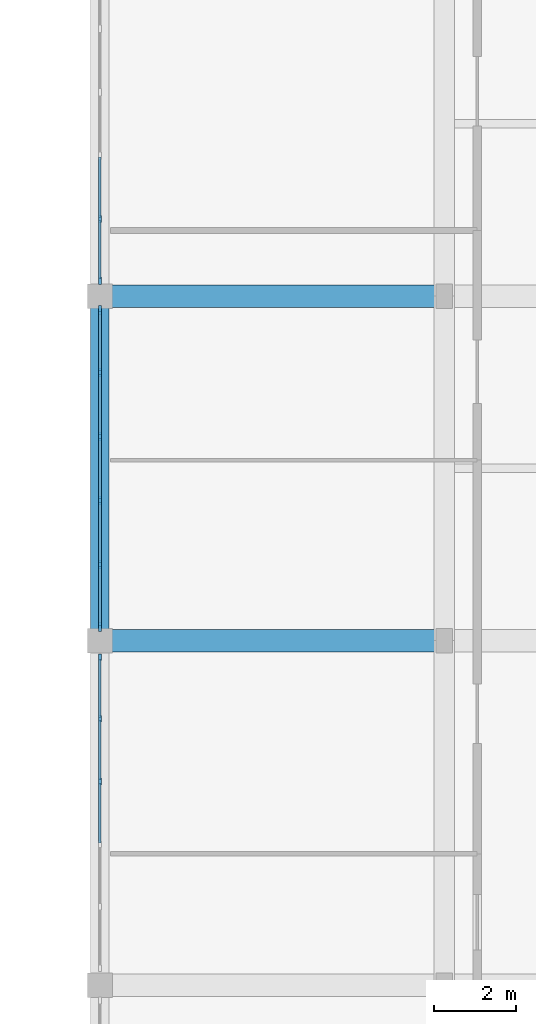
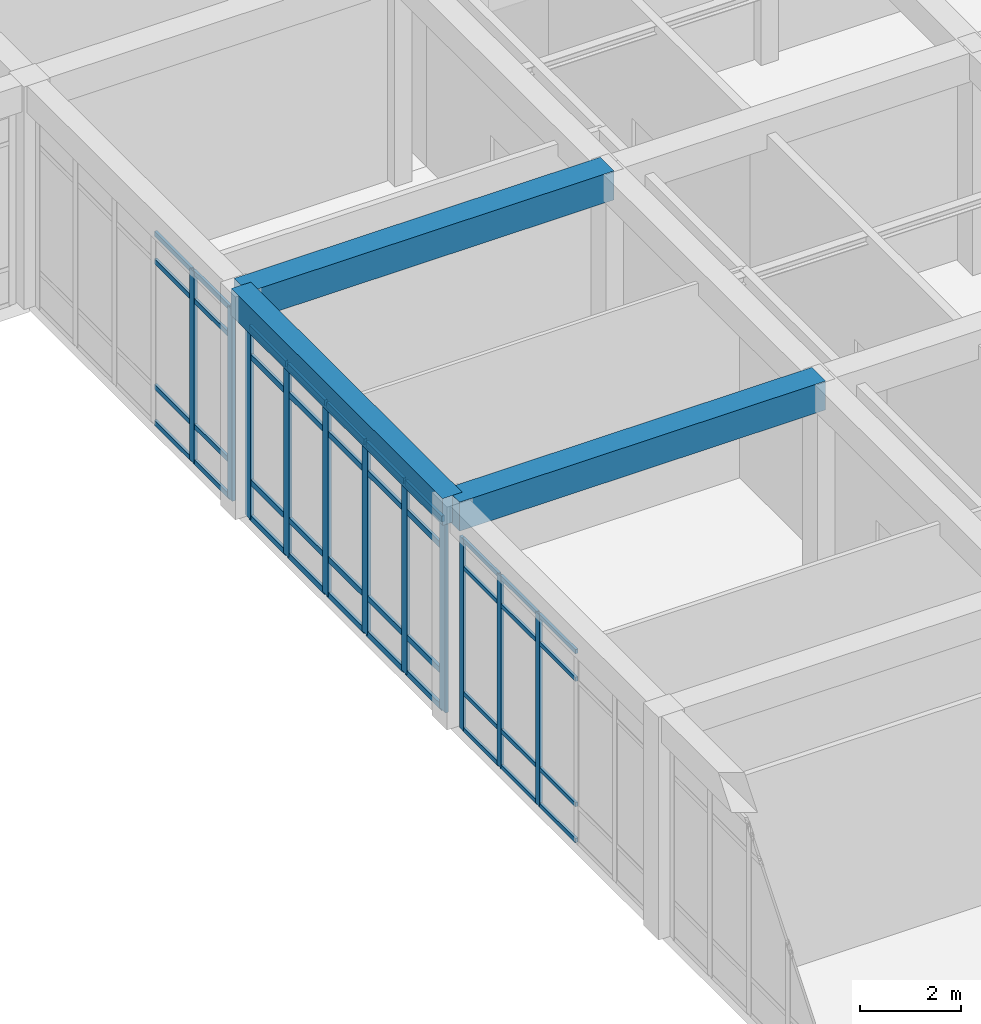
# One storey, part 50 of 157: 51 members, 3 beams, 3 elements without a shape of their own.
"""IFC4 building model written with IfcOpenShell, lengths in metres."""

import ifcopenshell
import ifcopenshell.guid

model = None  # the IFC model being written
_history = None  # IfcOwnerHistory: only IFC2X3 demands one
_inside = {}  # id of a spatial element -> (the spatial element, [elements in it])
_under = {}  # id of a project, library or spatial element -> (it, [spatial elements below it])
_declared = {}  # id of a project -> (the project, [libraries it declares])
_typed = {}  # id of a type object -> (the type object, [elements of that type])
_made_of = {}  # id of a material, layer set ... -> (it, [elements and type objects made of it])


def new_model(schema):
    """Start an empty IFC model of exactly this schema.

    Asked for "IFC4X3", IfcOpenShell would pick the latest addendum, in which some entities
    have other attributes; the version numbers below select the first issue.
    IFC2X3 requires an IfcOwnerHistory on every rooted entity: one is made here for all.
    """
    global model, _history
    if schema == "IFC4X3":
        model = ifcopenshell.file(schema_version=(4, 3, 0, 0))
    else:
        model = ifcopenshell.file(schema=schema)
    _inside.clear()
    _under.clear()
    _declared.clear()
    _typed.clear()
    _made_of.clear()
    _history = None
    if model.schema == "IFC2X3":
        org = make("IfcOrganization", Name="unknown")
        user = make(
            "IfcPersonAndOrganization",
            ThePerson=make("IfcPerson", FamilyName="unknown"),
            TheOrganization=org,
        )
        app = make(
            "IfcApplication",
            ApplicationDeveloper=org,
            Version="unknown",
            ApplicationFullName="unknown",
            ApplicationIdentifier="unknown",
        )
        _history = make(
            "IfcOwnerHistory",
            OwningUser=user,
            OwningApplication=app,
            ChangeAction="ADDED",
            CreationDate=0,
        )
    return model


def make(cls, **values):
    """One entity of the class cls with the attributes given. An attribute that is None is left unset."""
    return model.create_entity(
        cls, **{name: value for name, value in values.items() if value is not None}
    )


def rooted(cls, **values):
    """An entity with a GlobalId (a new one), such as an element, a storey or a relation."""
    return make(cls, GlobalId=ifcopenshell.guid.new(), OwnerHistory=_history, **values)


def si_unit(unit_type, name, prefix=None):
    """IfcSIUnit, for example si_unit("LENGTHUNIT", "METRE", prefix="MILLI")."""
    return make("IfcSIUnit", UnitType=unit_type, Prefix=prefix, Name=name)


def assignment(units):
    """IfcUnitAssignment: the units of a project."""
    return None if units is None else make("IfcUnitAssignment", Units=units)


def point(xyz):
    """IfcCartesianPoint."""
    return None if xyz is None else make("IfcCartesianPoint", Coordinates=xyz)


def direction(xyz):
    """IfcDirection."""
    return None if xyz is None else make("IfcDirection", DirectionRatios=xyz)


def frame(location, z_axis=None, x_axis=None):
    """IfcAxis2Placement3D, a coordinate frame: its origin and axes. An axis left out is left unset."""
    return make(
        "IfcAxis2Placement3D",
        Location=point(location),
        Axis=direction(z_axis),
        RefDirection=direction(x_axis),
    )


def frame_2d(location, x_axis=None):
    """IfcAxis2Placement2D, a coordinate frame in the plane: its origin and x axis."""
    return make(
        "IfcAxis2Placement2D", Location=point(location), RefDirection=direction(x_axis)
    )


def origin():
    """The frame at (0, 0, 0) with its axes left unset."""
    return frame((0.0, 0.0, 0.0))


def origin_2d():
    """The frame at (0, 0) in the plane with its x axis left unset."""
    return frame_2d((0.0, 0.0))


def place(relative_to, where):
    """IfcLocalPlacement: puts the frame where relative to a parent placement (None: the world)."""
    return make(
        "IfcLocalPlacement", PlacementRelTo=relative_to, RelativePlacement=where
    )


def context(
    kind, dimensions, precision=None, world=None, true_north=None, identifier=None
):
    """IfcGeometricRepresentationContext, for example the 3D "Model" context."""
    return make(
        "IfcGeometricRepresentationContext",
        ContextIdentifier=identifier,
        ContextType=kind,
        CoordinateSpaceDimension=dimensions,
        Precision=precision,
        WorldCoordinateSystem=world,
        TrueNorth=true_north,
    )


def subcontext(parent, identifier, kind, view, scale=None):
    """IfcGeometricRepresentationSubContext, for example "Body" below "Model"."""
    return make(
        "IfcGeometricRepresentationSubContext",
        ContextIdentifier=identifier,
        ContextType=kind,
        ParentContext=parent,
        TargetScale=scale,
        TargetView=view,
    )


def project(units=None, contexts=None):
    """IfcProject with its units and contexts."""
    return rooted(
        "IfcProject",
        Name="project",
        RepresentationContexts=contexts,
        UnitsInContext=assignment(units),
    )


def spatial(cls, under=None, at=None, **own):
    """A site, building, storey or space (cls), placed at a placement, below another one or the project."""
    s = rooted(cls, ObjectPlacement=at, **own)
    if under is not None:
        _under.setdefault(under.id(), (under, []))[1].append(s)
    return s


def profile(cls, at=None, kind="AREA", **sizes):
    """A parametric profile (cls). Its sizes go by their IFC names, for example OverallWidth=200.0."""
    return make(cls, ProfileType=kind, Position=at, **sizes)


def rectangle(**sizes):
    """IfcRectangleProfileDef."""
    return profile("IfcRectangleProfileDef", **sizes)


def extrude(swept, where, along, depth):
    """IfcExtrudedAreaSolid: the profile swept, set in the frame where, extruded along a direction by depth."""
    return make(
        "IfcExtrudedAreaSolid",
        SweptArea=swept,
        Position=where,
        ExtrudedDirection=direction(along),
        Depth=depth,
    )


def shape(context_of_items, identifier, shape_type, items):
    """IfcShapeRepresentation: the items that make up one representation, for example the "Body"."""
    return make(
        "IfcShapeRepresentation",
        ContextOfItems=context_of_items,
        RepresentationIdentifier=identifier,
        RepresentationType=shape_type,
        Items=items,
    )


def material(Name=None, Category=None):
    """IfcMaterial."""
    return make("IfcMaterial", Name=Name, Category=Category)


def material_profile(
    of_material, cross_section, Name=None, Category=None, Priority=None
):
    """IfcMaterialProfile: a cross section and its material."""
    return make(
        "IfcMaterialProfile",
        Name=Name,
        Material=of_material,
        Profile=cross_section,
        Priority=Priority,
        Category=Category,
    )


def profile_set(profiles, Name=None, composite=None):
    """IfcMaterialProfileSet."""
    return make(
        "IfcMaterialProfileSet",
        Name=Name,
        MaterialProfiles=profiles,
        CompositeProfile=composite,
    )


def made_of(thing, what):
    """Note that an element or type object is made of a material, layer set ...; save() writes the relation."""
    if what is not None:
        _made_of.setdefault(what.id(), (what, []))[1].append(thing)
    return thing


def type_object(cls, material=None, **own):
    """A type object (cls), such as IfcWallType, which elements share."""
    return made_of(rooted(cls, **own), material)


def element(
    cls,
    number,
    at=None,
    inside=None,
    cuts=None,
    type_object=None,
    material=None,
    context=None,
    identifier="Body",
    shape_type=None,
    held_by="IfcProductDefinitionShape",
    body=None,
    shapes=None,
    **own,
):
    """One element of the class cls, such as IfcWall. Its Tag is "e" and its number.

    at: its placement. inside: the storey or other place that contains it. cuts: it is an
    opening in that element (IfcRelVoidsElement). A single representation is given by context,
    identifier, shape_type and body (its items); several are given by shapes. held_by: the class
    of the entity that holds the representations. save() writes the other relations.
    """
    e = rooted(cls, Tag="e%d" % number, ObjectPlacement=at, **own)
    if body is not None:
        shapes = [shape(context, identifier, shape_type, body)]
    if shapes is not None:
        e.Representation = make(held_by, Representations=shapes)
    if inside is not None:
        _inside.setdefault(inside.id(), (inside, []))[1].append(e)
    if cuts is not None:
        rooted(
            "IfcRelVoidsElement", RelatingBuildingElement=cuts, RelatedOpeningElement=e
        )
    if type_object is not None:
        _typed.setdefault(type_object.id(), (type_object, []))[1].append(e)
    return made_of(e, material)


def aggregate(whole, parts):
    """IfcRelAggregates: a whole, such as a stair, and the parts it consists of."""
    return rooted("IfcRelAggregates", RelatingObject=whole, RelatedObjects=parts)


def save(model, path):
    """Write the relations noted so far, then the file.

    IfcRelAggregates (storeys below a building ...), IfcRelContainedInSpatialStructure (elements
    in a storey), IfcRelDefinesByType, IfcRelAssociatesMaterial and IfcRelDeclares: one each for
    every whole, place, type object, material and project.
    """
    for whole, parts in _under.values():
        aggregate(whole, parts)
    for where, things in _inside.values():
        rooted(
            "IfcRelContainedInSpatialStructure",
            RelatedElements=things,
            RelatingStructure=where,
        )
    for kind, things in _typed.values():
        rooted("IfcRelDefinesByType", RelatedObjects=things, RelatingType=kind)
    for what, things in _made_of.values():
        rooted("IfcRelAssociatesMaterial", RelatedObjects=things, RelatingMaterial=what)
    for by, libraries in _declared.values():
        rooted("IfcRelDeclares", RelatingContext=by, RelatedDefinitions=libraries)
    model.write(path)


model = new_model("IFC4")

# Units and contexts
model_context = context("Model", 3, precision=1e-05, world=origin(), true_north=direction((0.0, 1.0)))
body_context = subcontext(model_context, "Body", "Model", "MODEL_VIEW")
ifc_project = project(units=[si_unit("LENGTHUNIT", "METRE"), si_unit("AREAUNIT", "SQUARE_METRE"), si_unit("VOLUMEUNIT", "CUBIC_METRE"), si_unit("PLANEANGLEUNIT", "RADIAN"), si_unit("MASSUNIT", "GRAM", prefix="KILO")], contexts=[model_context])

# Site, building, storey
site_placement = place(None, origin())
site = spatial("IfcSite", under=ifc_project, at=site_placement, CompositionType="ELEMENT")
building_placement = place(site_placement, origin())
building = spatial("IfcBuilding", under=site, at=building_placement, Name="Varncliffe General Hospital", CompositionType="ELEMENT")
storey_placement = place(building_placement, frame((0.0, 0.0, 5.39990234375)))
storey = spatial("IfcBuildingStorey", under=building, at=storey_placement, Name="L01", CompositionType="ELEMENT", Elevation=5.39990234375)

# Beams
ifc_material_1 = material(Name="Concrete C35/45 (CSA A23.1 35 MPa)", Category="concrete")
ifc_material_profile_1 = material_profile(ifc_material_1, rectangle(XDim=0.550048828125, YDim=0.699951171875, at=origin_2d()), Name="RC 550x700")
ifc_profile_set_1 = profile_set([ifc_material_profile_1], Name="Concrete C35/45 (CSA A23.1 35 MPa)")
beam_type_1 = type_object("IfcBeamType", Name="Beam B35 (Int RC 550x700)", PredefinedType="BEAM", material=ifc_profile_set_1)
for number, where, z_axis, x_axis, name in (
    (1, (151.199951171875, 66.0, 5.050048828125), (1.0, 0.0, 0.0), (0.0, 1.0, 0.0), "L01 Primary Beam B35-96"),
    (2, (151.199951171875, 74.39990234375, 5.050048828125), (1.0, 0.0, 0.0), (0.0, 1.0, 0.0), "L01 Primary Beam B35-109"),
):
    element("IfcBeam", number, at=place(storey_placement, frame(where, z_axis=z_axis, x_axis=x_axis)), inside=storey, type_object=beam_type_1, Name=name, PredefinedType="BEAM", context=body_context, shape_type="SweptSolid", body=[
        extrude(rectangle(XDim=0.550048828125, YDim=0.699951171875, at=origin_2d()), origin(), (0.0, 0.0, 1.0), 8.400146484375),
    ])

# Curtain wall, members
ifc_material_2 = material(Name="Triple low-E argon insulated vision glazing", Category="glass")
curtain_wall_type_1 = type_object("IfcCurtainWallType", Name="Unitised Glazed Curtain Wall CW70 (7724x4640)", PredefinedType="USERDEFINED", material=ifc_material_2)
curtain_wall_1_placement = place(storey_placement, origin())
curtain_wall_1 = element("IfcCurtainWall", 3, at=curtain_wall_1_placement, inside=storey, type_object=curtain_wall_type_1, Name="L01 Glazed Curtain Wall CW70-67", ObjectType="GLAZED CURTAIN WALL", PredefinedType="USERDEFINED")
ifc_material_3 = material(Name="Dark bronze thermally broken aluminium framing", Category="aluminium")
ifc_material_profile_2 = material_profile(ifc_material_3, rectangle(XDim=0.074951171875, YDim=0.179931640625, at=origin_2d()), Name="ALU 75x180")
ifc_profile_set_2 = profile_set([ifc_material_profile_2], Name="Dark bronze thermally broken aluminium framing")
member_type_1 = type_object("IfcMemberType", Name="Curtain Wall Mullion CM44 (ALU 75x180)", PredefinedType="MULLION", material=ifc_profile_set_2)
member_1_placement = place(storey_placement, frame((151.199951171875, 74.775390625, 0.0), z_axis=(0.0, 0.0, 1.0), x_axis=(-1.0, 0.0, 0.0)))
member_1 = element("IfcMember", 4, at=member_1_placement, type_object=member_type_1, Name="CW70 mullion 1", PredefinedType="MULLION", context=body_context, shape_type="SweptSolid", body=[
    extrude(rectangle(XDim=0.074951171875, YDim=0.179931640625, at=origin_2d()), origin(), (0.0, 0.0, 1.0), 4.64013671875),
])
member_2_placement = place(storey_placement, frame((151.199951171875, 76.28271484375, 0.0), z_axis=(0.0, 0.0, 1.0), x_axis=(-1.0, 0.0, 0.0)))
member_2 = element("IfcMember", 5, at=member_2_placement, type_object=member_type_1, Name="CW70 mullion 2", PredefinedType="MULLION", context=body_context, shape_type="SweptSolid", body=[
    extrude(rectangle(XDim=0.074951171875, YDim=0.179931640625, at=origin_2d()), origin(), (0.0, 0.0, 1.0), 4.64013671875),
])

curtain_wall_type_2 = type_object("IfcCurtainWallType", Name="Unitised Glazed Curtain Wall CW27 (7644x4640)", PredefinedType="USERDEFINED", material=ifc_material_2)
curtain_wall_2_placement = place(storey_placement, origin())
curtain_wall_2 = element("IfcCurtainWall", 6, at=curtain_wall_2_placement, inside=storey, type_object=curtain_wall_type_2, Name="L01 Glazed Curtain Wall CW27-65", ObjectType="GLAZED CURTAIN WALL", PredefinedType="USERDEFINED")
ifc_material_profile_3 = material_profile(ifc_material_3, rectangle(XDim=0.06494140625, YDim=0.159912109375, at=origin_2d()), Name="ALU 65x160")
ifc_profile_set_3 = profile_set([ifc_material_profile_3], Name="Dark bronze thermally broken aluminium framing")
member_type_2 = type_object("IfcMemberType", Name="Curtain Wall Mullion CM65 (ALU 65x160)", PredefinedType="MULLION", material=ifc_profile_set_3)
member_3_placement = place(storey_placement, frame((151.199951171875, 62.564453125, 0.0), z_axis=(0.0, 0.0, 1.0), x_axis=(-1.0, 0.0, 0.0)))
member_3 = element("IfcMember", 7, at=member_3_placement, type_object=member_type_2, Name="CW27 mullion 4", PredefinedType="MULLION", context=body_context, shape_type="SweptSolid", body=[
    extrude(rectangle(XDim=0.06494140625, YDim=0.159912109375, at=origin_2d()), origin(), (0.0, 0.0, 1.0), 4.64013671875),
])
member_4_placement = place(storey_placement, frame((151.199951171875, 64.09326171875, 0.0), z_axis=(0.0, 0.0, 1.0), x_axis=(-1.0, 0.0, 0.0)))
member_4 = element("IfcMember", 8, at=member_4_placement, type_object=member_type_2, Name="CW27 mullion 5", PredefinedType="MULLION", context=body_context, shape_type="SweptSolid", body=[
    extrude(rectangle(XDim=0.06494140625, YDim=0.159912109375, at=origin_2d()), origin(), (0.0, 0.0, 1.0), 4.64013671875),
])
member_5_placement = place(storey_placement, frame((151.199951171875, 65.589599609375, 0.0), z_axis=(0.0, 0.0, 1.0), x_axis=(-1.0, 0.0, 0.0)))
member_5 = element("IfcMember", 9, at=member_5_placement, type_object=member_type_2, Name="CW27 mullion 6", PredefinedType="MULLION", context=body_context, shape_type="SweptSolid", body=[
    extrude(rectangle(XDim=0.06494140625, YDim=0.159912109375, at=origin_2d()), origin(), (0.0, 0.0, 1.0), 4.64013671875),
])

curtain_wall_type_3 = type_object("IfcCurtainWallType", Name="Unitised Glazed Curtain Wall CW85 (7804x4640)", PredefinedType="USERDEFINED", material=ifc_material_2)
curtain_wall_3_placement = place(storey_placement, origin())
curtain_wall_3 = element("IfcCurtainWall", 10, at=curtain_wall_3_placement, inside=storey, type_object=curtain_wall_type_3, Name="L01 Glazed Curtain Wall CW85-66", ObjectType="GLAZED CURTAIN WALL", PredefinedType="USERDEFINED")
ifc_material_profile_4 = material_profile(ifc_material_3, rectangle(XDim=0.074951171875, YDim=0.219970703125, at=origin_2d()), Name="ALU 75x220")
ifc_profile_set_4 = profile_set([ifc_material_profile_4], Name="Dark bronze thermally broken aluminium framing")
member_type_3 = type_object("IfcMemberType", Name="Curtain Wall Mullion CM74 (ALU 75x220)", PredefinedType="MULLION", material=ifc_profile_set_4)
member_6_placement = place(storey_placement, frame((151.199951171875, 66.33544921875, 0.0), z_axis=(0.0, 0.0, 1.0), x_axis=(-1.0, 0.0, 0.0)))
member_6 = element("IfcMember", 11, at=member_6_placement, type_object=member_type_3, Name="CW85 mullion 1", PredefinedType="MULLION", context=body_context, shape_type="SweptSolid", body=[
    extrude(rectangle(XDim=0.074951171875, YDim=0.219970703125, at=origin_2d()), origin(), (0.0, 0.0, 1.0), 4.64013671875),
])
member_7_placement = place(storey_placement, frame((151.199951171875, 67.85888671875, 0.0), z_axis=(0.0, 0.0, 1.0), x_axis=(-1.0, 0.0, 0.0)))
member_7 = element("IfcMember", 12, at=member_7_placement, type_object=member_type_3, Name="CW85 mullion 2", PredefinedType="MULLION", context=body_context, shape_type="SweptSolid", body=[
    extrude(rectangle(XDim=0.074951171875, YDim=0.219970703125, at=origin_2d()), origin(), (0.0, 0.0, 1.0), 4.64013671875),
])
member_8_placement = place(storey_placement, frame((151.199951171875, 69.419677734375, 0.0), z_axis=(0.0, 0.0, 1.0), x_axis=(-1.0, 0.0, 0.0)))
member_8 = element("IfcMember", 13, at=member_8_placement, type_object=member_type_3, Name="CW85 mullion 3", PredefinedType="MULLION", context=body_context, shape_type="SweptSolid", body=[
    extrude(rectangle(XDim=0.074951171875, YDim=0.219970703125, at=origin_2d()), origin(), (0.0, 0.0, 1.0), 4.64013671875),
])
member_9_placement = place(storey_placement, frame((151.199951171875, 70.98046875, 0.0), z_axis=(0.0, 0.0, 1.0), x_axis=(-1.0, 0.0, 0.0)))
member_9 = element("IfcMember", 14, at=member_9_placement, type_object=member_type_3, Name="CW85 mullion 4", PredefinedType="MULLION", context=body_context, shape_type="SweptSolid", body=[
    extrude(rectangle(XDim=0.074951171875, YDim=0.219970703125, at=origin_2d()), origin(), (0.0, 0.0, 1.0), 4.64013671875),
])
member_10_placement = place(storey_placement, frame((151.199951171875, 72.541259765625, 0.0), z_axis=(0.0, 0.0, 1.0), x_axis=(-1.0, 0.0, 0.0)))
member_10 = element("IfcMember", 15, at=member_10_placement, type_object=member_type_3, Name="CW85 mullion 5", PredefinedType="MULLION", context=body_context, shape_type="SweptSolid", body=[
    extrude(rectangle(XDim=0.074951171875, YDim=0.219970703125, at=origin_2d()), origin(), (0.0, 0.0, 1.0), 4.64013671875),
])
member_11_placement = place(storey_placement, frame((151.199951171875, 74.064453125, 0.0), z_axis=(0.0, 0.0, 1.0), x_axis=(-1.0, 0.0, 0.0)))
member_11 = element("IfcMember", 16, at=member_11_placement, type_object=member_type_3, Name="CW85 mullion 6", PredefinedType="MULLION", context=body_context, shape_type="SweptSolid", body=[
    extrude(rectangle(XDim=0.074951171875, YDim=0.219970703125, at=origin_2d()), origin(), (0.0, 0.0, 1.0), 4.64013671875),
])

# Member
ifc_material_profile_5 = material_profile(ifc_material_3, rectangle(XDim=0.06005859375, YDim=0.1201171875, at=origin_2d()), Name="ALU 60x120")
ifc_profile_set_5 = profile_set([ifc_material_profile_5], Name="Dark bronze thermally broken aluminium framing")
member_type_4 = type_object("IfcMemberType", Name="Curtain Wall Transom CT14 (ALU 60x120)", PredefinedType="USERDEFINED", material=ifc_profile_set_5)
member_12_placement = place(storey_placement, frame((151.199951171875, 74.81298828125, 0.030029296875), z_axis=(0.0, 1.0, 0.0), x_axis=(-1.0, 0.0, 0.0)))
member_12 = element("IfcMember", 17, at=member_12_placement, type_object=member_type_4, Name="CW70 transom 1.1", ObjectType="TRANSOM", PredefinedType="USERDEFINED", context=body_context, shape_type="SweptSolid", body=[
    extrude(rectangle(XDim=0.06005859375, YDim=0.1201171875, at=origin_2d()), origin(), (0.0, 0.0, 1.0), 1.432373046875),
])

member_13_placement = place(storey_placement, frame((151.199951171875, 74.81298828125, 0.900146484375), z_axis=(0.0, 1.0, 0.0), x_axis=(-1.0, 0.0, 0.0)))
member_13 = element("IfcMember", 18, at=member_13_placement, type_object=member_type_4, Name="CW70 transom 1.2", ObjectType="TRANSOM", PredefinedType="USERDEFINED", context=body_context, shape_type="SweptSolid", body=[
    extrude(rectangle(XDim=0.06005859375, YDim=0.1201171875, at=origin_2d()), origin(), (0.0, 0.0, 1.0), 1.432373046875),
])

member_14_placement = place(storey_placement, frame((151.199951171875, 74.81298828125, 3.940185546875), z_axis=(0.0, 1.0, 0.0), x_axis=(-1.0, 0.0, 0.0)))
member_14 = element("IfcMember", 19, at=member_14_placement, type_object=member_type_4, Name="CW70 transom 1.3", ObjectType="TRANSOM", PredefinedType="USERDEFINED", context=body_context, shape_type="SweptSolid", body=[
    extrude(rectangle(XDim=0.06005859375, YDim=0.1201171875, at=origin_2d()), origin(), (0.0, 0.0, 1.0), 1.432373046875),
])

member_15_placement = place(storey_placement, frame((151.199951171875, 74.81298828125, 4.610107421875), z_axis=(0.0, 1.0, 0.0), x_axis=(-1.0, 0.0, 0.0)))
member_15 = element("IfcMember", 20, at=member_15_placement, type_object=member_type_4, Name="CW70 transom 1.4", ObjectType="TRANSOM", PredefinedType="USERDEFINED", context=body_context, shape_type="SweptSolid", body=[
    extrude(rectangle(XDim=0.06005859375, YDim=0.1201171875, at=origin_2d()), origin(), (0.0, 0.0, 1.0), 1.432373046875),
])

member_16_placement = place(storey_placement, frame((151.199951171875, 76.3203125, 0.030029296875), z_axis=(0.0, 1.0, 0.0), x_axis=(-1.0, 0.0, 0.0)))
member_16 = element("IfcMember", 21, at=member_16_placement, type_object=member_type_4, Name="CW70 transom 2.1", ObjectType="TRANSOM", PredefinedType="USERDEFINED", context=body_context, shape_type="SweptSolid", body=[
    extrude(rectangle(XDim=0.06005859375, YDim=0.1201171875, at=origin_2d()), origin(), (0.0, 0.0, 1.0), 1.4697265625),
])

member_17_placement = place(storey_placement, frame((151.199951171875, 76.3203125, 0.900146484375), z_axis=(0.0, 1.0, 0.0), x_axis=(-1.0, 0.0, 0.0)))
member_17 = element("IfcMember", 22, at=member_17_placement, type_object=member_type_4, Name="CW70 transom 2.2", ObjectType="TRANSOM", PredefinedType="USERDEFINED", context=body_context, shape_type="SweptSolid", body=[
    extrude(rectangle(XDim=0.06005859375, YDim=0.1201171875, at=origin_2d()), origin(), (0.0, 0.0, 1.0), 1.4697265625),
])

member_18_placement = place(storey_placement, frame((151.199951171875, 76.3203125, 3.940185546875), z_axis=(0.0, 1.0, 0.0), x_axis=(-1.0, 0.0, 0.0)))
member_18 = element("IfcMember", 23, at=member_18_placement, type_object=member_type_4, Name="CW70 transom 2.3", ObjectType="TRANSOM", PredefinedType="USERDEFINED", context=body_context, shape_type="SweptSolid", body=[
    extrude(rectangle(XDim=0.06005859375, YDim=0.1201171875, at=origin_2d()), origin(), (0.0, 0.0, 1.0), 1.4697265625),
])

member_19_placement = place(storey_placement, frame((151.199951171875, 76.3203125, 4.610107421875), z_axis=(0.0, 1.0, 0.0), x_axis=(-1.0, 0.0, 0.0)))
member_19 = element("IfcMember", 24, at=member_19_placement, type_object=member_type_4, Name="CW70 transom 2.4", ObjectType="TRANSOM", PredefinedType="USERDEFINED", context=body_context, shape_type="SweptSolid", body=[
    extrude(rectangle(XDim=0.06005859375, YDim=0.1201171875, at=origin_2d()), origin(), (0.0, 0.0, 1.0), 1.4697265625),
])

aggregate(curtain_wall_1, [member_1, member_2, member_12, member_13, member_14, member_15, member_16, member_17, member_18, member_19])

ifc_material_profile_6 = material_profile(ifc_material_3, rectangle(XDim=0.06005859375, YDim=0.10009765625, at=origin_2d()), Name="ALU 60x100")
ifc_profile_set_6 = profile_set([ifc_material_profile_6], Name="Dark bronze thermally broken aluminium framing")
member_type_5 = type_object("IfcMemberType", Name="Curtain Wall Transom CT18 (ALU 60x100)", PredefinedType="USERDEFINED", material=ifc_profile_set_6)
member_20_placement = place(storey_placement, frame((151.199951171875, 61.068115234375, 0.030029296875), z_axis=(0.0, 1.0, 0.0), x_axis=(-1.0, 0.0, 0.0)))
member_20 = element("IfcMember", 25, at=member_20_placement, type_object=member_type_5, Name="CW27 transom 3.1", ObjectType="TRANSOM", PredefinedType="USERDEFINED", context=body_context, shape_type="SweptSolid", body=[
    extrude(rectangle(XDim=0.06005859375, YDim=0.10009765625, at=origin_2d()), origin(), (0.0, 0.0, 1.0), 1.4638671875),
])

member_21_placement = place(storey_placement, frame((151.199951171875, 61.068115234375, 0.900146484375), z_axis=(0.0, 1.0, 0.0), x_axis=(-1.0, 0.0, 0.0)))
member_21 = element("IfcMember", 26, at=member_21_placement, type_object=member_type_5, Name="CW27 transom 3.2", ObjectType="TRANSOM", PredefinedType="USERDEFINED", context=body_context, shape_type="SweptSolid", body=[
    extrude(rectangle(XDim=0.06005859375, YDim=0.10009765625, at=origin_2d()), origin(), (0.0, 0.0, 1.0), 1.4638671875),
])

member_22_placement = place(storey_placement, frame((151.199951171875, 61.068115234375, 3.940185546875), z_axis=(0.0, 1.0, 0.0), x_axis=(-1.0, 0.0, 0.0)))
member_22 = element("IfcMember", 27, at=member_22_placement, type_object=member_type_5, Name="CW27 transom 3.3", ObjectType="TRANSOM", PredefinedType="USERDEFINED", context=body_context, shape_type="SweptSolid", body=[
    extrude(rectangle(XDim=0.06005859375, YDim=0.10009765625, at=origin_2d()), origin(), (0.0, 0.0, 1.0), 1.4638671875),
])

member_23_placement = place(storey_placement, frame((151.199951171875, 61.068115234375, 4.610107421875), z_axis=(0.0, 1.0, 0.0), x_axis=(-1.0, 0.0, 0.0)))
member_23 = element("IfcMember", 28, at=member_23_placement, type_object=member_type_5, Name="CW27 transom 3.4", ObjectType="TRANSOM", PredefinedType="USERDEFINED", context=body_context, shape_type="SweptSolid", body=[
    extrude(rectangle(XDim=0.06005859375, YDim=0.10009765625, at=origin_2d()), origin(), (0.0, 0.0, 1.0), 1.4638671875),
])

member_24_placement = place(storey_placement, frame((151.199951171875, 62.596923828125, 0.030029296875), z_axis=(0.0, 1.0, 0.0), x_axis=(-1.0, 0.0, 0.0)))
member_24 = element("IfcMember", 29, at=member_24_placement, type_object=member_type_5, Name="CW27 transom 4.1", ObjectType="TRANSOM", PredefinedType="USERDEFINED", context=body_context, shape_type="SweptSolid", body=[
    extrude(rectangle(XDim=0.06005859375, YDim=0.10009765625, at=origin_2d()), origin(), (0.0, 0.0, 1.0), 1.4638671875),
])

member_25_placement = place(storey_placement, frame((151.199951171875, 62.596923828125, 0.900146484375), z_axis=(0.0, 1.0, 0.0), x_axis=(-1.0, 0.0, 0.0)))
member_25 = element("IfcMember", 30, at=member_25_placement, type_object=member_type_5, Name="CW27 transom 4.2", ObjectType="TRANSOM", PredefinedType="USERDEFINED", context=body_context, shape_type="SweptSolid", body=[
    extrude(rectangle(XDim=0.06005859375, YDim=0.10009765625, at=origin_2d()), origin(), (0.0, 0.0, 1.0), 1.4638671875),
])

member_26_placement = place(storey_placement, frame((151.199951171875, 62.596923828125, 3.940185546875), z_axis=(0.0, 1.0, 0.0), x_axis=(-1.0, 0.0, 0.0)))
member_26 = element("IfcMember", 31, at=member_26_placement, type_object=member_type_5, Name="CW27 transom 4.3", ObjectType="TRANSOM", PredefinedType="USERDEFINED", context=body_context, shape_type="SweptSolid", body=[
    extrude(rectangle(XDim=0.06005859375, YDim=0.10009765625, at=origin_2d()), origin(), (0.0, 0.0, 1.0), 1.4638671875),
])

member_27_placement = place(storey_placement, frame((151.199951171875, 62.596923828125, 4.610107421875), z_axis=(0.0, 1.0, 0.0), x_axis=(-1.0, 0.0, 0.0)))
member_27 = element("IfcMember", 32, at=member_27_placement, type_object=member_type_5, Name="CW27 transom 4.4", ObjectType="TRANSOM", PredefinedType="USERDEFINED", context=body_context, shape_type="SweptSolid", body=[
    extrude(rectangle(XDim=0.06005859375, YDim=0.10009765625, at=origin_2d()), origin(), (0.0, 0.0, 1.0), 1.4638671875),
])

member_28_placement = place(storey_placement, frame((151.199951171875, 64.125732421875, 0.030029296875), z_axis=(0.0, 1.0, 0.0), x_axis=(-1.0, 0.0, 0.0)))
member_28 = element("IfcMember", 33, at=member_28_placement, type_object=member_type_5, Name="CW27 transom 5.1", ObjectType="TRANSOM", PredefinedType="USERDEFINED", context=body_context, shape_type="SweptSolid", body=[
    extrude(rectangle(XDim=0.06005859375, YDim=0.10009765625, at=origin_2d()), origin(), (0.0, 0.0, 1.0), 1.43115234375),
])

member_29_placement = place(storey_placement, frame((151.199951171875, 64.125732421875, 0.900146484375), z_axis=(0.0, 1.0, 0.0), x_axis=(-1.0, 0.0, 0.0)))
member_29 = element("IfcMember", 34, at=member_29_placement, type_object=member_type_5, Name="CW27 transom 5.2", ObjectType="TRANSOM", PredefinedType="USERDEFINED", context=body_context, shape_type="SweptSolid", body=[
    extrude(rectangle(XDim=0.06005859375, YDim=0.10009765625, at=origin_2d()), origin(), (0.0, 0.0, 1.0), 1.43115234375),
])

member_30_placement = place(storey_placement, frame((151.199951171875, 64.125732421875, 3.940185546875), z_axis=(0.0, 1.0, 0.0), x_axis=(-1.0, 0.0, 0.0)))
member_30 = element("IfcMember", 35, at=member_30_placement, type_object=member_type_5, Name="CW27 transom 5.3", ObjectType="TRANSOM", PredefinedType="USERDEFINED", context=body_context, shape_type="SweptSolid", body=[
    extrude(rectangle(XDim=0.06005859375, YDim=0.10009765625, at=origin_2d()), origin(), (0.0, 0.0, 1.0), 1.43115234375),
])

member_31_placement = place(storey_placement, frame((151.199951171875, 64.125732421875, 4.610107421875), z_axis=(0.0, 1.0, 0.0), x_axis=(-1.0, 0.0, 0.0)))
member_31 = element("IfcMember", 36, at=member_31_placement, type_object=member_type_5, Name="CW27 transom 5.4", ObjectType="TRANSOM", PredefinedType="USERDEFINED", context=body_context, shape_type="SweptSolid", body=[
    extrude(rectangle(XDim=0.06005859375, YDim=0.10009765625, at=origin_2d()), origin(), (0.0, 0.0, 1.0), 1.43115234375),
])

aggregate(curtain_wall_2, [member_3, member_4, member_5, member_20, member_21, member_22, member_23, member_24, member_25, member_26, member_27, member_28, member_29, member_30, member_31])

ifc_material_profile_7 = material_profile(ifc_material_3, rectangle(XDim=0.06494140625, YDim=0.139892578125, at=origin_2d()), Name="ALU 65x140")
ifc_profile_set_7 = profile_set([ifc_material_profile_7], Name="Dark bronze thermally broken aluminium framing")
member_type_6 = type_object("IfcMemberType", Name="Curtain Wall Transom CT69 (ALU 65x140)", PredefinedType="USERDEFINED", material=ifc_profile_set_7)
member_32_placement = place(storey_placement, frame((151.199951171875, 66.373046875, 0.03271484375), z_axis=(0.0, 1.0, 0.0), x_axis=(-1.0, 0.0, 0.0)))
member_32 = element("IfcMember", 37, at=member_32_placement, type_object=member_type_6, Name="CW85 transom 1.1", ObjectType="TRANSOM", PredefinedType="USERDEFINED", context=body_context, shape_type="SweptSolid", body=[
    extrude(rectangle(XDim=0.06494140625, YDim=0.139892578125, at=origin_2d()), origin(), (0.0, 0.0, 1.0), 1.4482421875),
])

member_33_placement = place(storey_placement, frame((151.199951171875, 66.373046875, 0.900146484375), z_axis=(0.0, 1.0, 0.0), x_axis=(-1.0, 0.0, 0.0)))
member_33 = element("IfcMember", 38, at=member_33_placement, type_object=member_type_6, Name="CW85 transom 1.2", ObjectType="TRANSOM", PredefinedType="USERDEFINED", context=body_context, shape_type="SweptSolid", body=[
    extrude(rectangle(XDim=0.06494140625, YDim=0.139892578125, at=origin_2d()), origin(), (0.0, 0.0, 1.0), 1.4482421875),
])

member_34_placement = place(storey_placement, frame((151.199951171875, 66.373046875, 3.940185546875), z_axis=(0.0, 1.0, 0.0), x_axis=(-1.0, 0.0, 0.0)))
member_34 = element("IfcMember", 39, at=member_34_placement, type_object=member_type_6, Name="CW85 transom 1.3", ObjectType="TRANSOM", PredefinedType="USERDEFINED", context=body_context, shape_type="SweptSolid", body=[
    extrude(rectangle(XDim=0.06494140625, YDim=0.139892578125, at=origin_2d()), origin(), (0.0, 0.0, 1.0), 1.4482421875),
])

member_35_placement = place(storey_placement, frame((151.199951171875, 66.373046875, 4.607666015625), z_axis=(0.0, 1.0, 0.0), x_axis=(-1.0, 0.0, 0.0)))
member_35 = element("IfcMember", 40, at=member_35_placement, type_object=member_type_6, Name="CW85 transom 1.4", ObjectType="TRANSOM", PredefinedType="USERDEFINED", context=body_context, shape_type="SweptSolid", body=[
    extrude(rectangle(XDim=0.06494140625, YDim=0.139892578125, at=origin_2d()), origin(), (0.0, 0.0, 1.0), 1.4482421875),
])

member_36_placement = place(storey_placement, frame((151.199951171875, 67.896240234375, 0.03271484375), z_axis=(0.0, 1.0, 0.0), x_axis=(-1.0, 0.0, 0.0)))
member_36 = element("IfcMember", 41, at=member_36_placement, type_object=member_type_6, Name="CW85 transom 2.1", ObjectType="TRANSOM", PredefinedType="USERDEFINED", context=body_context, shape_type="SweptSolid", body=[
    extrude(rectangle(XDim=0.06494140625, YDim=0.139892578125, at=origin_2d()), origin(), (0.0, 0.0, 1.0), 1.48583984375),
])

member_37_placement = place(storey_placement, frame((151.199951171875, 67.896240234375, 0.900146484375), z_axis=(0.0, 1.0, 0.0), x_axis=(-1.0, 0.0, 0.0)))
member_37 = element("IfcMember", 42, at=member_37_placement, type_object=member_type_6, Name="CW85 transom 2.2", ObjectType="TRANSOM", PredefinedType="USERDEFINED", context=body_context, shape_type="SweptSolid", body=[
    extrude(rectangle(XDim=0.06494140625, YDim=0.139892578125, at=origin_2d()), origin(), (0.0, 0.0, 1.0), 1.48583984375),
])

member_38_placement = place(storey_placement, frame((151.199951171875, 67.896240234375, 3.940185546875), z_axis=(0.0, 1.0, 0.0), x_axis=(-1.0, 0.0, 0.0)))
member_38 = element("IfcMember", 43, at=member_38_placement, type_object=member_type_6, Name="CW85 transom 2.3", ObjectType="TRANSOM", PredefinedType="USERDEFINED", context=body_context, shape_type="SweptSolid", body=[
    extrude(rectangle(XDim=0.06494140625, YDim=0.139892578125, at=origin_2d()), origin(), (0.0, 0.0, 1.0), 1.48583984375),
])

member_39_placement = place(storey_placement, frame((151.199951171875, 67.896240234375, 4.607666015625), z_axis=(0.0, 1.0, 0.0), x_axis=(-1.0, 0.0, 0.0)))
member_39 = element("IfcMember", 44, at=member_39_placement, type_object=member_type_6, Name="CW85 transom 2.4", ObjectType="TRANSOM", PredefinedType="USERDEFINED", context=body_context, shape_type="SweptSolid", body=[
    extrude(rectangle(XDim=0.06494140625, YDim=0.139892578125, at=origin_2d()), origin(), (0.0, 0.0, 1.0), 1.48583984375),
])

member_40_placement = place(storey_placement, frame((151.199951171875, 69.45703125, 0.03271484375), z_axis=(0.0, 1.0, 0.0), x_axis=(-1.0, 0.0, 0.0)))
member_40 = element("IfcMember", 45, at=member_40_placement, type_object=member_type_6, Name="CW85 transom 3.1", ObjectType="TRANSOM", PredefinedType="USERDEFINED", context=body_context, shape_type="SweptSolid", body=[
    extrude(rectangle(XDim=0.06494140625, YDim=0.139892578125, at=origin_2d()), origin(), (0.0, 0.0, 1.0), 1.48583984375),
])

member_41_placement = place(storey_placement, frame((151.199951171875, 69.45703125, 0.900146484375), z_axis=(0.0, 1.0, 0.0), x_axis=(-1.0, 0.0, 0.0)))
member_41 = element("IfcMember", 46, at=member_41_placement, type_object=member_type_6, Name="CW85 transom 3.2", ObjectType="TRANSOM", PredefinedType="USERDEFINED", context=body_context, shape_type="SweptSolid", body=[
    extrude(rectangle(XDim=0.06494140625, YDim=0.139892578125, at=origin_2d()), origin(), (0.0, 0.0, 1.0), 1.48583984375),
])

member_42_placement = place(storey_placement, frame((151.199951171875, 69.45703125, 3.940185546875), z_axis=(0.0, 1.0, 0.0), x_axis=(-1.0, 0.0, 0.0)))
member_42 = element("IfcMember", 47, at=member_42_placement, type_object=member_type_6, Name="CW85 transom 3.3", ObjectType="TRANSOM", PredefinedType="USERDEFINED", context=body_context, shape_type="SweptSolid", body=[
    extrude(rectangle(XDim=0.06494140625, YDim=0.139892578125, at=origin_2d()), origin(), (0.0, 0.0, 1.0), 1.48583984375),
])

member_43_placement = place(storey_placement, frame((151.199951171875, 69.45703125, 4.607666015625), z_axis=(0.0, 1.0, 0.0), x_axis=(-1.0, 0.0, 0.0)))
member_43 = element("IfcMember", 48, at=member_43_placement, type_object=member_type_6, Name="CW85 transom 3.4", ObjectType="TRANSOM", PredefinedType="USERDEFINED", context=body_context, shape_type="SweptSolid", body=[
    extrude(rectangle(XDim=0.06494140625, YDim=0.139892578125, at=origin_2d()), origin(), (0.0, 0.0, 1.0), 1.48583984375),
])

member_44_placement = place(storey_placement, frame((151.199951171875, 71.017822265625, 0.03271484375), z_axis=(0.0, 1.0, 0.0), x_axis=(-1.0, 0.0, 0.0)))
member_44 = element("IfcMember", 49, at=member_44_placement, type_object=member_type_6, Name="CW85 transom 4.1", ObjectType="TRANSOM", PredefinedType="USERDEFINED", context=body_context, shape_type="SweptSolid", body=[
    extrude(rectangle(XDim=0.06494140625, YDim=0.139892578125, at=origin_2d()), origin(), (0.0, 0.0, 1.0), 1.48583984375),
])

member_45_placement = place(storey_placement, frame((151.199951171875, 71.017822265625, 0.900146484375), z_axis=(0.0, 1.0, 0.0), x_axis=(-1.0, 0.0, 0.0)))
member_45 = element("IfcMember", 50, at=member_45_placement, type_object=member_type_6, Name="CW85 transom 4.2", ObjectType="TRANSOM", PredefinedType="USERDEFINED", context=body_context, shape_type="SweptSolid", body=[
    extrude(rectangle(XDim=0.06494140625, YDim=0.139892578125, at=origin_2d()), origin(), (0.0, 0.0, 1.0), 1.48583984375),
])

member_46_placement = place(storey_placement, frame((151.199951171875, 71.017822265625, 3.940185546875), z_axis=(0.0, 1.0, 0.0), x_axis=(-1.0, 0.0, 0.0)))
member_46 = element("IfcMember", 51, at=member_46_placement, type_object=member_type_6, Name="CW85 transom 4.3", ObjectType="TRANSOM", PredefinedType="USERDEFINED", context=body_context, shape_type="SweptSolid", body=[
    extrude(rectangle(XDim=0.06494140625, YDim=0.139892578125, at=origin_2d()), origin(), (0.0, 0.0, 1.0), 1.48583984375),
])

member_47_placement = place(storey_placement, frame((151.199951171875, 71.017822265625, 4.607666015625), z_axis=(0.0, 1.0, 0.0), x_axis=(-1.0, 0.0, 0.0)))
member_47 = element("IfcMember", 52, at=member_47_placement, type_object=member_type_6, Name="CW85 transom 4.4", ObjectType="TRANSOM", PredefinedType="USERDEFINED", context=body_context, shape_type="SweptSolid", body=[
    extrude(rectangle(XDim=0.06494140625, YDim=0.139892578125, at=origin_2d()), origin(), (0.0, 0.0, 1.0), 1.48583984375),
])

member_48_placement = place(storey_placement, frame((151.199951171875, 72.57861328125, 0.03271484375), z_axis=(0.0, 1.0, 0.0), x_axis=(-1.0, 0.0, 0.0)))
member_48 = element("IfcMember", 53, at=member_48_placement, type_object=member_type_6, Name="CW85 transom 5.1", ObjectType="TRANSOM", PredefinedType="USERDEFINED", context=body_context, shape_type="SweptSolid", body=[
    extrude(rectangle(XDim=0.06494140625, YDim=0.139892578125, at=origin_2d()), origin(), (0.0, 0.0, 1.0), 1.448486328125),
])

member_49_placement = place(storey_placement, frame((151.199951171875, 72.57861328125, 0.900146484375), z_axis=(0.0, 1.0, 0.0), x_axis=(-1.0, 0.0, 0.0)))
member_49 = element("IfcMember", 54, at=member_49_placement, type_object=member_type_6, Name="CW85 transom 5.2", ObjectType="TRANSOM", PredefinedType="USERDEFINED", context=body_context, shape_type="SweptSolid", body=[
    extrude(rectangle(XDim=0.06494140625, YDim=0.139892578125, at=origin_2d()), origin(), (0.0, 0.0, 1.0), 1.448486328125),
])

member_50_placement = place(storey_placement, frame((151.199951171875, 72.57861328125, 3.940185546875), z_axis=(0.0, 1.0, 0.0), x_axis=(-1.0, 0.0, 0.0)))
member_50 = element("IfcMember", 55, at=member_50_placement, type_object=member_type_6, Name="CW85 transom 5.3", ObjectType="TRANSOM", PredefinedType="USERDEFINED", context=body_context, shape_type="SweptSolid", body=[
    extrude(rectangle(XDim=0.06494140625, YDim=0.139892578125, at=origin_2d()), origin(), (0.0, 0.0, 1.0), 1.448486328125),
])

member_51_placement = place(storey_placement, frame((151.199951171875, 72.57861328125, 4.607666015625), z_axis=(0.0, 1.0, 0.0), x_axis=(-1.0, 0.0, 0.0)))
member_51 = element("IfcMember", 56, at=member_51_placement, type_object=member_type_6, Name="CW85 transom 5.4", ObjectType="TRANSOM", PredefinedType="USERDEFINED", context=body_context, shape_type="SweptSolid", body=[
    extrude(rectangle(XDim=0.06494140625, YDim=0.139892578125, at=origin_2d()), origin(), (0.0, 0.0, 1.0), 1.448486328125),
])

aggregate(curtain_wall_3, [member_6, member_7, member_8, member_9, member_10, member_11, member_32, member_33, member_34, member_35, member_36, member_37, member_38, member_39, member_40, member_41, member_42, member_43, member_44, member_45, member_46, member_47, member_48, member_49, member_50, member_51])

# Beam
ifc_material_profile_8 = material_profile(ifc_material_1, rectangle(XDim=0.449951171875, YDim=0.64990234375, at=origin_2d()), Name="RC 450x650")
ifc_profile_set_8 = profile_set([ifc_material_profile_8], Name="Concrete C35/45 (CSA A23.1 35 MPa)")
beam_type_2 = type_object("IfcBeamType", Name="Spandrel SP38 (Ext RC 450x650B)", PredefinedType="SPANDREL", material=ifc_profile_set_8)
beam_placement = place(storey_placement, frame((151.199951171875, 66.0, 5.0751953125), z_axis=(0.0, 1.0, 0.0), x_axis=(-1.0, 0.0, 0.0)))
element("IfcBeam", 57, at=beam_placement, inside=storey, type_object=beam_type_2, Name="L01 Spandrel Beam SP38-468", PredefinedType="SPANDREL", context=body_context, shape_type="SweptSolid", body=[
    extrude(rectangle(XDim=0.449951171875, YDim=0.64990234375, at=origin_2d()), origin(), (0.0, 0.0, 1.0), 8.39990234375),
])

save(model, "model.ifc")
